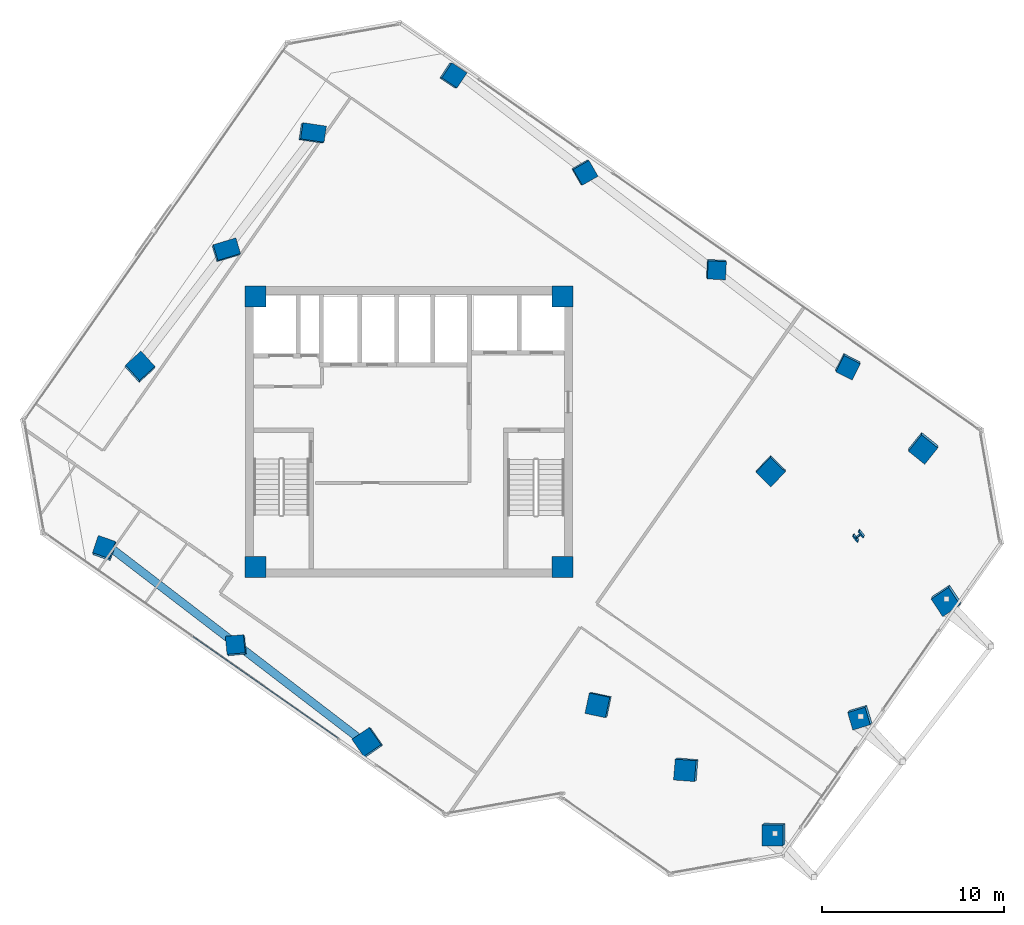
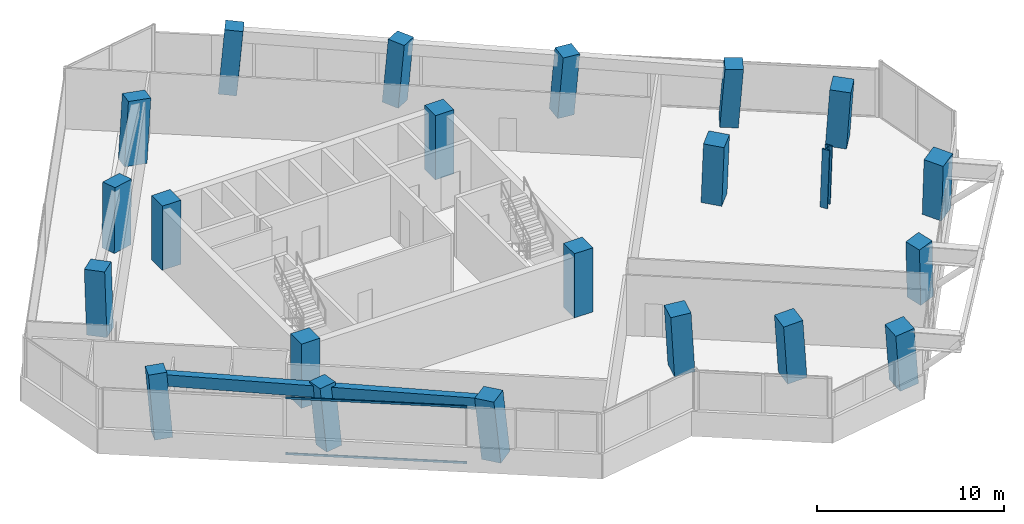
# One storey, part 1 of 21: 22 columns, 2 beams, 2 members, 1 element without a shape of its own.
"""IFC4 building model written with IfcOpenShell, lengths in metres."""

import ifcopenshell
import ifcopenshell.guid

model = None  # the IFC model being written
_history = None  # IfcOwnerHistory: only IFC2X3 demands one
_inside = {}  # id of a spatial element -> (the spatial element, [elements in it])
_under = {}  # id of a project, library or spatial element -> (it, [spatial elements below it])
_declared = {}  # id of a project -> (the project, [libraries it declares])
_typed = {}  # id of a type object -> (the type object, [elements of that type])
_made_of = {}  # id of a material, layer set ... -> (it, [elements and type objects made of it])


def new_model(schema):
    """Start an empty IFC model of exactly this schema.

    Asked for "IFC4X3", IfcOpenShell would pick the latest addendum, in which some entities
    have other attributes; the version numbers below select the first issue.
    IFC2X3 requires an IfcOwnerHistory on every rooted entity: one is made here for all.
    """
    global model, _history
    if schema == "IFC4X3":
        model = ifcopenshell.file(schema_version=(4, 3, 0, 0))
    else:
        model = ifcopenshell.file(schema=schema)
    _inside.clear()
    _under.clear()
    _declared.clear()
    _typed.clear()
    _made_of.clear()
    _history = None
    if model.schema == "IFC2X3":
        org = make("IfcOrganization", Name="unknown")
        user = make(
            "IfcPersonAndOrganization",
            ThePerson=make("IfcPerson", FamilyName="unknown"),
            TheOrganization=org,
        )
        app = make(
            "IfcApplication",
            ApplicationDeveloper=org,
            Version="unknown",
            ApplicationFullName="unknown",
            ApplicationIdentifier="unknown",
        )
        _history = make(
            "IfcOwnerHistory",
            OwningUser=user,
            OwningApplication=app,
            ChangeAction="ADDED",
            CreationDate=0,
        )
    return model


def make(cls, **values):
    """One entity of the class cls with the attributes given. An attribute that is None is left unset."""
    return model.create_entity(
        cls, **{name: value for name, value in values.items() if value is not None}
    )


def rooted(cls, **values):
    """An entity with a GlobalId (a new one), such as an element, a storey or a relation."""
    return make(cls, GlobalId=ifcopenshell.guid.new(), OwnerHistory=_history, **values)


def si_unit(unit_type, name, prefix=None):
    """IfcSIUnit, for example si_unit("LENGTHUNIT", "METRE", prefix="MILLI")."""
    return make("IfcSIUnit", UnitType=unit_type, Prefix=prefix, Name=name)


def assignment(units):
    """IfcUnitAssignment: the units of a project."""
    return None if units is None else make("IfcUnitAssignment", Units=units)


def point(xyz):
    """IfcCartesianPoint."""
    return None if xyz is None else make("IfcCartesianPoint", Coordinates=xyz)


def direction(xyz):
    """IfcDirection."""
    return None if xyz is None else make("IfcDirection", DirectionRatios=xyz)


def frame(location, z_axis=None, x_axis=None):
    """IfcAxis2Placement3D, a coordinate frame: its origin and axes. An axis left out is left unset."""
    return make(
        "IfcAxis2Placement3D",
        Location=point(location),
        Axis=direction(z_axis),
        RefDirection=direction(x_axis),
    )


def frame_2d(location, x_axis=None):
    """IfcAxis2Placement2D, a coordinate frame in the plane: its origin and x axis."""
    return make(
        "IfcAxis2Placement2D", Location=point(location), RefDirection=direction(x_axis)
    )


def origin():
    """The frame at (0, 0, 0) with its axes left unset."""
    return frame((0.0, 0.0, 0.0))


def origin_2d():
    """The frame at (0, 0) in the plane with its x axis left unset."""
    return frame_2d((0.0, 0.0))


def place(relative_to, where):
    """IfcLocalPlacement: puts the frame where relative to a parent placement (None: the world)."""
    return make(
        "IfcLocalPlacement", PlacementRelTo=relative_to, RelativePlacement=where
    )


def context(
    kind, dimensions, precision=None, world=None, true_north=None, identifier=None
):
    """IfcGeometricRepresentationContext, for example the 3D "Model" context."""
    return make(
        "IfcGeometricRepresentationContext",
        ContextIdentifier=identifier,
        ContextType=kind,
        CoordinateSpaceDimension=dimensions,
        Precision=precision,
        WorldCoordinateSystem=world,
        TrueNorth=true_north,
    )


def subcontext(parent, identifier, kind, view, scale=None):
    """IfcGeometricRepresentationSubContext, for example "Body" below "Model"."""
    return make(
        "IfcGeometricRepresentationSubContext",
        ContextIdentifier=identifier,
        ContextType=kind,
        ParentContext=parent,
        TargetScale=scale,
        TargetView=view,
    )


def project(units=None, contexts=None):
    """IfcProject with its units and contexts."""
    return rooted(
        "IfcProject",
        Name="project",
        RepresentationContexts=contexts,
        UnitsInContext=assignment(units),
    )


def spatial(cls, under=None, at=None, **own):
    """A site, building, storey or space (cls), placed at a placement, below another one or the project."""
    s = rooted(cls, ObjectPlacement=at, **own)
    if under is not None:
        _under.setdefault(under.id(), (under, []))[1].append(s)
    return s


def profile(cls, at=None, kind="AREA", **sizes):
    """A parametric profile (cls). Its sizes go by their IFC names, for example OverallWidth=200.0."""
    return make(cls, ProfileType=kind, Position=at, **sizes)


def rectangle(**sizes):
    """IfcRectangleProfileDef."""
    return profile("IfcRectangleProfileDef", **sizes)


def hollow_rectangle(**sizes):
    """IfcRectangleHollowProfileDef."""
    return profile("IfcRectangleHollowProfileDef", **sizes)


def i_section(**sizes):
    """IfcIShapeProfileDef."""
    return profile("IfcIShapeProfileDef", **sizes)


def extrude(swept, where, along, depth):
    """IfcExtrudedAreaSolid: the profile swept, set in the frame where, extruded along a direction by depth."""
    return make(
        "IfcExtrudedAreaSolid",
        SweptArea=swept,
        Position=where,
        ExtrudedDirection=direction(along),
        Depth=depth,
    )


def clip(a, b, op="DIFFERENCE"):
    """IfcBooleanClippingResult: the solid a cut by the half space b."""
    return make(
        "IfcBooleanClippingResult", Operator=op, FirstOperand=a, SecondOperand=b
    )


def halfspace(plane, agree):
    """IfcHalfSpaceSolid: all space on one side of the plane z = 0 of the frame plane."""
    return make(
        "IfcHalfSpaceSolid",
        BaseSurface=make("IfcPlane", Position=plane),
        AgreementFlag=agree,
    )


def shape(context_of_items, identifier, shape_type, items):
    """IfcShapeRepresentation: the items that make up one representation, for example the "Body"."""
    return make(
        "IfcShapeRepresentation",
        ContextOfItems=context_of_items,
        RepresentationIdentifier=identifier,
        RepresentationType=shape_type,
        Items=items,
    )


def source(mapping_origin, context_of_items, identifier, shape_type, items):
    """IfcRepresentationMap: a shape defined once, which mapped items show again and again."""
    return make(
        "IfcRepresentationMap",
        MappingOrigin=mapping_origin,
        MappedRepresentation=shape(context_of_items, identifier, shape_type, items),
    )


def transform(
    local_origin,
    x_axis=None,
    y_axis=None,
    z_axis=None,
    scale=None,
    scale2=None,
    scale3=None,
    uniform=True,
):
    """IfcCartesianTransformationOperator3D, or its non-uniform kind. x_axis, y_axis, z_axis: its Axis1, 2, 3."""
    if uniform:
        return make(
            "IfcCartesianTransformationOperator3D",
            Axis1=direction(x_axis),
            Axis2=direction(y_axis),
            LocalOrigin=point(local_origin),
            Scale=scale,
            Axis3=direction(z_axis),
        )
    return make(
        "IfcCartesianTransformationOperator3DnonUniform",
        Axis1=direction(x_axis),
        Axis2=direction(y_axis),
        LocalOrigin=point(local_origin),
        Scale=scale,
        Axis3=direction(z_axis),
        Scale2=scale2,
        Scale3=scale3,
    )


def mapped(mapping_source, mapping_target):
    """IfcMappedItem: shows the shape of a source again, moved by a transform."""
    return make(
        "IfcMappedItem", MappingSource=mapping_source, MappingTarget=mapping_target
    )


def material(Name=None, Category=None):
    """IfcMaterial."""
    return make("IfcMaterial", Name=Name, Category=Category)


def material_profile(
    of_material, cross_section, Name=None, Category=None, Priority=None
):
    """IfcMaterialProfile: a cross section and its material."""
    return make(
        "IfcMaterialProfile",
        Name=Name,
        Material=of_material,
        Profile=cross_section,
        Priority=Priority,
        Category=Category,
    )


def profile_set(profiles, Name=None, composite=None):
    """IfcMaterialProfileSet."""
    return make(
        "IfcMaterialProfileSet",
        Name=Name,
        MaterialProfiles=profiles,
        CompositeProfile=composite,
    )


def made_of(thing, what):
    """Note that an element or type object is made of a material, layer set ...; save() writes the relation."""
    if what is not None:
        _made_of.setdefault(what.id(), (what, []))[1].append(thing)
    return thing


def type_object(cls, material=None, **own):
    """A type object (cls), such as IfcWallType, which elements share."""
    return made_of(rooted(cls, **own), material)


def element(
    cls,
    number,
    at=None,
    inside=None,
    cuts=None,
    type_object=None,
    material=None,
    context=None,
    identifier="Body",
    shape_type=None,
    held_by="IfcProductDefinitionShape",
    body=None,
    shapes=None,
    **own,
):
    """One element of the class cls, such as IfcWall. Its Tag is "e" and its number.

    at: its placement. inside: the storey or other place that contains it. cuts: it is an
    opening in that element (IfcRelVoidsElement). A single representation is given by context,
    identifier, shape_type and body (its items); several are given by shapes. held_by: the class
    of the entity that holds the representations. save() writes the other relations.
    """
    e = rooted(cls, Tag="e%d" % number, ObjectPlacement=at, **own)
    if body is not None:
        shapes = [shape(context, identifier, shape_type, body)]
    if shapes is not None:
        e.Representation = make(held_by, Representations=shapes)
    if inside is not None:
        _inside.setdefault(inside.id(), (inside, []))[1].append(e)
    if cuts is not None:
        rooted(
            "IfcRelVoidsElement", RelatingBuildingElement=cuts, RelatedOpeningElement=e
        )
    if type_object is not None:
        _typed.setdefault(type_object.id(), (type_object, []))[1].append(e)
    return made_of(e, material)


def aggregate(whole, parts):
    """IfcRelAggregates: a whole, such as a stair, and the parts it consists of."""
    return rooted("IfcRelAggregates", RelatingObject=whole, RelatedObjects=parts)


def save(model, path):
    """Write the relations noted so far, then the file.

    IfcRelAggregates (storeys below a building ...), IfcRelContainedInSpatialStructure (elements
    in a storey), IfcRelDefinesByType, IfcRelAssociatesMaterial and IfcRelDeclares: one each for
    every whole, place, type object, material and project.
    """
    for whole, parts in _under.values():
        aggregate(whole, parts)
    for where, things in _inside.values():
        rooted(
            "IfcRelContainedInSpatialStructure",
            RelatedElements=things,
            RelatingStructure=where,
        )
    for kind, things in _typed.values():
        rooted("IfcRelDefinesByType", RelatedObjects=things, RelatingType=kind)
    for what, things in _made_of.values():
        rooted("IfcRelAssociatesMaterial", RelatedObjects=things, RelatingMaterial=what)
    for by, libraries in _declared.values():
        rooted("IfcRelDeclares", RelatingContext=by, RelatedDefinitions=libraries)
    model.write(path)


model = new_model("IFC4")

# Units and contexts
model_context = context("Model", 3, precision=1e-05, world=origin(), true_north=direction((0.0, 1.0)))
body_context = subcontext(model_context, "Body", "Model", "MODEL_VIEW")
ifc_project = project(units=[si_unit("LENGTHUNIT", "METRE"), si_unit("AREAUNIT", "SQUARE_METRE"), si_unit("VOLUMEUNIT", "CUBIC_METRE"), si_unit("PLANEANGLEUNIT", "RADIAN"), si_unit("MASSUNIT", "GRAM", prefix="KILO")], contexts=[model_context])

# Site, building, storey
site_placement = place(None, origin())
site = spatial("IfcSite", under=ifc_project, at=site_placement, CompositionType="ELEMENT")
building_placement = place(site_placement, origin())
building = spatial("IfcBuilding", under=site, at=building_placement, Name="Torre Montelarca", CompositionType="ELEMENT")
storey_placement = place(building_placement, frame((0.0, 0.0, 200.199951171875)))
storey = spatial("IfcBuildingStorey", under=building, at=storey_placement, Name="L45", CompositionType="ELEMENT", Elevation=200.199951171875)

# Columns
ifc_material_1 = material(Name="Concrete C55/67", Category="concrete")
ifc_material_profile_1 = material_profile(ifc_material_1, rectangle(XDim=0.89990234375, YDim=1.300048828125, at=origin_2d()), Name="RC1300X900", Category="concrete")
ifc_profile_set_1 = profile_set([ifc_material_profile_1], Name="Concrete C55/67")
column_type_1 = type_object("IfcColumnType", Name="COL-PIL1300-EXT", PredefinedType="PILASTER", material=ifc_profile_set_1)
column_1_placement = place(storey_placement, frame((7.911376953125, 41.963623046875, 0.0), z_axis=(0.052348868529, 0.069721280651, 0.996192019135), x_axis=(0.291213371779, -0.955267995537, 0.051554134659)))
element("IfcColumn", 1, at=column_1_placement, inside=storey, type_object=column_type_1, Name="L45 Column 1W/E", PredefinedType="PILASTER", context=body_context, shape_type="Clipping", body=[
    clip(clip(extrude(rectangle(XDim=0.89990234375, YDim=1.300048828125, at=origin_2d()), origin(), (0.0, 0.0, 1.0), 4.216064453125), halfspace(frame((0.0, 0.0, 0.06982421875), z_axis=(0.0, 0.0, -1.0), x_axis=(1.0, 0.0, 0.0)), False)), halfspace(frame((0.0, 0.0, 4.146240234375), z_axis=(0.0, 0.0, 1.0), x_axis=(1.0, 0.0, 0.0)), False)),
])
column_2_placement = place(storey_placement, frame((12.641845703125, 48.4150390625, 0.0), z_axis=(0.085398713421, 0.044897968574, 0.995334733727), x_axis=(-0.145662224799, -0.987688074539, 0.057050711483)))
element("IfcColumn", 2, at=column_2_placement, inside=storey, type_object=column_type_1, Name="L45 Column 1W/F", PredefinedType="PILASTER", context=body_context, shape_type="Clipping", body=[
    clip(clip(extrude(rectangle(XDim=0.89990234375, YDim=1.300048828125, at=origin_2d()), origin(), (0.0, 0.0, 1.0), 4.2197265625), halfspace(frame((0.0, 0.0, 0.077392578125), z_axis=(0.0, 0.0, -1.0), x_axis=(1.0, 0.0, 0.0)), False)), halfspace(frame((0.0, 0.0, 4.142333984375), z_axis=(0.0, 0.0, 1.0), x_axis=(1.0, 0.0, 0.0)), False)),
])
ifc_material_profile_2 = material_profile(ifc_material_1, rectangle(XDim=1.0, YDim=1.0, at=origin_2d()), Name="RC1000X1000", Category="concrete")
ifc_profile_set_2 = profile_set([ifc_material_profile_2], Name="Concrete C55/67")
column_type_2 = type_object("IfcColumnType", Name="COL-RC1000-EXT", PredefinedType="COLUMN", material=ifc_profile_set_2)
column_3_placement = place(storey_placement, frame((1.248779296875, 25.5205078125, 0.0), z_axis=(-0.032297921556, 0.104924911531, 0.993955535828), x_axis=(0.943665188787, -0.324471766537, 0.064915977944)))
element("IfcColumn", 3, at=column_3_placement, inside=storey, type_object=column_type_2, Name="L45 Column 2/CS", PredefinedType="COLUMN", context=body_context, shape_type="Clipping", body=[
    clip(clip(extrude(rectangle(XDim=1.0, YDim=1.0, at=origin_2d()), origin(), (0.0, 0.0, 1.0), 4.2255859375), halfspace(frame((0.0, 0.0, 0.077880859375), z_axis=(0.0, 0.0, -1.0), x_axis=(1.0, 0.0, 0.0)), False)), halfspace(frame((0.0, 0.0, 4.147705078125), z_axis=(0.0, 0.0, 1.0), x_axis=(1.0, 0.0, 0.0)), False)),
])
column_4_placement = place(storey_placement, frame((20.377685546875, 51.60888671875, 0.0), z_axis=(0.101431952922, 0.004741972714, 0.99483117795), x_axis=(-0.549951103312, -0.833035772405, 0.060043199939)))
element("IfcColumn", 4, at=column_4_placement, inside=storey, type_object=column_type_2, Name="L45 Column 2/GN", PredefinedType="COLUMN", context=body_context, shape_type="Clipping", body=[
    clip(clip(extrude(rectangle(XDim=1.0, YDim=1.0, at=origin_2d()), origin(), (0.0, 0.0, 1.0), 4.2216796875), halfspace(frame((0.0, 0.0, 0.072021484375), z_axis=(0.0, 0.0, -1.0), x_axis=(1.0, 0.0, 0.0)), False)), halfspace(frame((0.0, 0.0, 4.149658203125), z_axis=(0.0, 0.0, 1.0), x_axis=(1.0, 0.0, 0.0)), False)),
])
column_5_placement = place(storey_placement, frame((8.5068359375, 20.19873046875, 0.0), z_axis=(-0.060262794758, 0.0679041866, 0.995870180802), x_axis=(0.994042239794, 0.094857947817, 0.053684217801)))
element("IfcColumn", 5, at=column_5_placement, inside=storey, type_object=column_type_2, Name="L45 Column 3/CS", PredefinedType="COLUMN", context=body_context, shape_type="Clipping", body=[
    clip(clip(extrude(rectangle(XDim=1.0, YDim=1.0, at=origin_2d()), origin(), (0.0, 0.0, 1.0), 4.21728515625), halfspace(frame((0.0, 0.0, 0.064453125), z_axis=(0.0, 0.0, -1.0), x_axis=(1.0, 0.0, 0.0)), False)), halfspace(frame((0.0, 0.0, 4.15283203125), z_axis=(0.0, 0.0, 1.0), x_axis=(1.0, 0.0, 0.0)), False)),
])
column_6_placement = place(storey_placement, frame((27.6357421875, 46.287109375, 0.0), z_axis=(0.073642562456, -0.032562643667, 0.996752951956), x_axis=(-0.865172490896, -0.49920897986, 0.047612555325)))
element("IfcColumn", 6, at=column_6_placement, inside=storey, type_object=column_type_2, Name="L45 Column 3/GN", PredefinedType="COLUMN", context=body_context, shape_type="Clipping", body=[
    clip(clip(extrude(rectangle(XDim=1.0, YDim=1.0, at=origin_2d()), origin(), (0.0, 0.0, 1.0), 4.213623046875), halfspace(frame((0.0, 0.0, 0.05712890625), z_axis=(0.0, 0.0, -1.0), x_axis=(1.0, 0.0, 0.0)), False)), halfspace(frame((0.0, 0.0, 4.156494140625), z_axis=(0.0, 0.0, 1.0), x_axis=(1.0, 0.0, 0.0)), False)),
])
column_7_placement = place(storey_placement, frame((34.893798828125, 40.96533203125, 0.0), z_axis=(0.045646375352, -0.06980188109, 0.996515983722), x_axis=(-0.997439527464, 0.051790740691, 0.049316409357)))
element("IfcColumn", 7, at=column_7_placement, inside=storey, type_object=column_type_2, Name="L45 Column 4/GN", PredefinedType="COLUMN", context=body_context, shape_type="Clipping", body=[
    clip(clip(extrude(rectangle(XDim=1.0, YDim=1.0, at=origin_2d()), origin(), (0.0, 0.0, 1.0), 4.214599609375), halfspace(frame((0.0, 0.0, 0.059326171875), z_axis=(0.0, 0.0, -1.0), x_axis=(1.0, 0.0, 0.0)), False)), halfspace(frame((0.0, 0.0, 4.1552734375), z_axis=(0.0, 0.0, 1.0), x_axis=(1.0, 0.0, 0.0)), False)),
])
column_8_placement = place(storey_placement, frame((42.15185546875, 35.6435546875, 0.0), z_axis=(0.017625307814, -0.106792028984, 0.994125148596), x_axis=(-0.891403921655, 0.448667880085, 0.064001420595)))
element("IfcColumn", 8, at=column_8_placement, inside=storey, type_object=column_type_2, Name="L45 Column 5/GN", PredefinedType="COLUMN", context=body_context, shape_type="Clipping", body=[
    clip(clip(extrude(rectangle(XDim=1.0, YDim=1.0, at=origin_2d()), origin(), (0.0, 0.0, 1.0), 4.224853515625), halfspace(frame((0.0, 0.0, 0.076904296875), z_axis=(0.0, 0.0, -1.0), x_axis=(1.0, 0.0, 0.0)), False)), halfspace(frame((0.0, 0.0, 4.14794921875), z_axis=(0.0, 0.0, 1.0), x_axis=(1.0, 0.0, 0.0)), False)),
])
column_9_placement = place(storey_placement, frame((42.870849609375, 16.330322265625, 0.0), z_axis=(-0.081830393133, -0.109068799855, 0.990660276612), x_axis=(-0.293522583095, 0.952545945706, 0.080627008696)))
element("IfcColumn", 9, at=column_9_placement, inside=storey, type_object=column_type_2, Name="L45 Column 7/E", PredefinedType="COLUMN", context=body_context, shape_type="Clipping", body=[
    clip(clip(extrude(rectangle(XDim=1.0, YDim=1.0, at=origin_2d()), origin(), (0.0, 0.0, 1.0), 4.239501953125), halfspace(frame((0.0, 0.0, 0.096923828125), z_axis=(0.0, 0.0, -1.0), x_axis=(1.0, 0.0, 0.0)), False)), halfspace(frame((0.0, 0.0, 4.142578125), z_axis=(0.0, 0.0, 1.0), x_axis=(1.0, 0.0, 0.0)), False)),
])
ifc_material_profile_3 = material_profile(ifc_material_1, rectangle(XDim=1.14990234375, YDim=1.14990234375, at=origin_2d()), Name="RC1150X1150", Category="concrete")
ifc_profile_set_3 = profile_set([ifc_material_profile_3], Name="Concrete C55/67")
column_type_3 = type_object("IfcColumnType", Name="COL-RC1150", PredefinedType="COLUMN", material=ifc_profile_set_3)
for number, where, z_axis, x_axis, name in (
    (10, (28.462890625, 16.974609375, 0.0), (-0.078128081862, -0.035212656614, 0.99632126929), (0.205735778945, 0.977294738554, 0.050673299241), "L45 Column 5/D"),
    (11, (37.923828125, 29.877685546875, 0.0), (-0.011872654328, -0.084903957292, 0.996318401976), (-0.717085407135, 0.695139365812, 0.050693007139), "L45 Column 5/F"),
):
    element("IfcColumn", number, at=place(storey_placement, frame(where, z_axis=z_axis, x_axis=x_axis)), inside=storey, type_object=column_type_3, Name=name, PredefinedType="COLUMN", context=body_context, shape_type="Clipping", body=[
        clip(clip(extrude(rectangle(XDim=1.14990234375, YDim=1.14990234375, at=origin_2d()), origin(), (0.0, 0.0, 1.0), 4.215576171875), halfspace(frame((0.0, 0.0, 0.06982421875), z_axis=(0.0, 0.0, -1.0), x_axis=(1.0, 0.0, 0.0)), False)), halfspace(frame((0.0, 0.0, 4.145751953125), z_axis=(0.0, 0.0, 1.0), x_axis=(1.0, 0.0, 0.0)), False)),
    ])
column_10_placement = place(storey_placement, frame((33.301513671875, 13.426513671875, 0.0), z_axis=(-0.09644878078, -0.05983289634, 0.993537949553), x_axis=(0.074102291921, 0.994989736896, 0.067113886818)))
element("IfcColumn", 12, at=column_10_placement, inside=storey, type_object=column_type_3, Name="L45 Column 6/D", PredefinedType="COLUMN", context=body_context, shape_type="Clipping", body=[
    clip(clip(extrude(rectangle(XDim=1.14990234375, YDim=1.14990234375, at=origin_2d()), origin(), (0.0, 0.0, 1.0), 4.227294921875), halfspace(frame((0.0, 0.0, 0.092529296875), z_axis=(0.0, 0.0, -1.0), x_axis=(1.0, 0.0, 0.0)), False)), halfspace(frame((0.0, 0.0, 4.134765625), z_axis=(0.0, 0.0, 1.0), x_axis=(1.0, 0.0, 0.0)), False)),
])
column_11_placement = place(storey_placement, frame((46.310302734375, 31.16845703125, 0.0), z_axis=(-0.00564986599, -0.127813805108, 0.991782088081), x_axis=(-0.779759778448, 0.621491402083, 0.075651338728)))
element("IfcColumn", 13, at=column_11_placement, inside=storey, type_object=column_type_3, Name="L45 Column 6/G", PredefinedType="COLUMN", context=body_context, shape_type="Clipping", body=[
    clip(clip(extrude(rectangle(XDim=1.14990234375, YDim=1.14990234375, at=origin_2d()), origin(), (0.0, 0.0, 1.0), 4.23486328125), halfspace(frame((0.0, 0.0, 0.1044921875), z_axis=(0.0, 0.0, -1.0), x_axis=(1.0, 0.0, 0.0)), False)), halfspace(frame((0.0, 0.0, 4.13037109375), z_axis=(0.0, 0.0, 1.0), x_axis=(1.0, 0.0, 0.0)), False)),
])
ifc_material_profile_4 = material_profile(ifc_material_1, rectangle(XDim=1.14990234375, YDim=1.14990234375, at=origin_2d()), Name="RC1150X1150", Category="concrete")
ifc_profile_set_4 = profile_set([ifc_material_profile_4], Name="Concrete C55/67")
column_type_4 = type_object("IfcColumnType", Name="COL-RC1150-EXT", PredefinedType="COLUMN", material=ifc_profile_set_4)
column_12_placement = place(storey_placement, frame((15.764892578125, 14.876953125, 0.0), z_axis=(-0.088259663974, 0.030615975241, 0.995626884819), x_axis=(0.820504029845, 0.568965490713, 0.055239545482)))
element("IfcColumn", 14, at=column_12_placement, inside=storey, type_object=column_type_4, Name="L45 Column 4/CS", PredefinedType="COLUMN", context=body_context, shape_type="Clipping", body=[
    clip(clip(extrude(rectangle(XDim=1.14990234375, YDim=1.14990234375, at=origin_2d()), origin(), (0.0, 0.0, 1.0), 4.218505859375), halfspace(frame((0.0, 0.0, 0.076171875), z_axis=(0.0, 0.0, -1.0), x_axis=(1.0, 0.0, 0.0)), False)), halfspace(frame((0.0, 0.0, 4.142333984375), z_axis=(0.0, 0.0, 1.0), x_axis=(1.0, 0.0, 0.0)), False)),
])
for number, where, z_axis, x_axis, name in (
    (15, (38.140380859375, 9.878662109375, 0.0), (-0.114672590515, -0.084292696992, 0.989820659624), (-0.006047009792, 0.996434297912, 0.084155354062), "L45 Column 7/D"),
    (16, (47.601318359375, 22.781982421875, 0.0), (-0.048849204631, -0.133716786291, 0.98981492021), (-0.556646986911, 0.826473251638, 0.084178953957), "L45 Column 7/F"),
):
    element("IfcColumn", number, at=place(storey_placement, frame(where, z_axis=z_axis, x_axis=x_axis)), inside=storey, type_object=column_type_4, Name=name, PredefinedType="COLUMN", context=body_context, shape_type="Clipping", body=[
        clip(clip(extrude(rectangle(XDim=1.14990234375, YDim=1.14990234375, at=origin_2d()), origin(), (0.0, 0.0, 1.0), 4.2431640625), halfspace(frame((0.0, 0.0, 0.1162109375), z_axis=(0.0, 0.0, -1.0), x_axis=(1.0, 0.0, 0.0)), False)), halfspace(frame((0.0, 0.0, 4.126953125), z_axis=(0.0, 0.0, 1.0), x_axis=(1.0, 0.0, 0.0)), False)),
    ])
column_13_placement = place(storey_placement, frame((3.180908203125, 35.511962890625, 0.0), z_axis=(0.01920894309, 0.094540400629, 0.995335686668), x_axis=(0.673107823398, -0.737340991453, 0.057044898138)))
element("IfcColumn", 17, at=column_13_placement, inside=storey, type_object=column_type_4, Name="L45 Column 1W/D", PredefinedType="COLUMN", context=body_context, shape_type="Clipping", body=[
    clip(clip(extrude(rectangle(XDim=1.14990234375, YDim=1.14990234375, at=origin_2d()), origin(), (0.0, 0.0, 1.0), 4.2197265625), halfspace(frame((0.0, 0.0, 0.07861328125), z_axis=(0.0, 0.0, -1.0), x_axis=(1.0, 0.0, 0.0)), False)), halfspace(frame((0.0, 0.0, 4.14111328125), z_axis=(0.0, 0.0, 1.0), x_axis=(1.0, 0.0, 0.0)), False)),
])
ifc_material_2 = material(Name="Steel ASTM A992 Grade 50", Category="steel")
ifc_material_profile_5 = material_profile(ifc_material_2, i_section(OverallWidth=0.4208984375, OverallDepth=0.465087890625, WebThickness=0.044921875, FlangeThickness=0.072265625, FilletRadius=0.014892578125, at=origin_2d()), Name="W360X592", Category="steel")
ifc_profile_set_5 = profile_set([ifc_material_profile_5], Name="Steel ASTM A992 Grade 50")
column_type_5 = type_object("IfcColumnType", Name="COL-W360X592", PredefinedType="COLUMN", material=ifc_profile_set_5)
column_14_placement = place(storey_placement, frame((42.7626953125, 26.32958984375, 0.0), z_axis=(-0.030493791307, -0.109384925635, 0.993531613355), x_axis=(-0.61906310695, 0.7824654584, 0.067146675448)))
element("IfcColumn", 18, at=column_14_placement, inside=storey, type_object=column_type_5, Name="L45 Column 6/F", PredefinedType="COLUMN", context=body_context, shape_type="Clipping", body=[
    clip(clip(extrude(i_section(OverallWidth=0.4208984375, OverallDepth=0.465087890625, WebThickness=0.044921875, FlangeThickness=0.072265625, FilletRadius=0.014892578125, at=origin_2d()), origin(), (0.0, 0.0, 1.0), 4.227294921875), halfspace(frame((0.0, 0.0, 0.036376953125), z_axis=(0.0, 0.0, -1.0), x_axis=(1.0, 0.0, 0.0)), False)), halfspace(frame((0.0, 0.0, 4.19091796875), z_axis=(0.0, 0.0, 1.0), x_axis=(1.0, 0.0, 0.0)), False)),
])
shared_shape_1 = source(origin(), body_context, "Body", "SweptSolid", [
    extrude(rectangle(XDim=1.14990234375, YDim=1.14990234375, at=origin_2d()), origin(), (0.0, 0.0, 1.0), 4.198486328125),
])
for number, where, z_axis, x_axis, name in (
    (19, (9.550048828125, 24.550048828125, 0.000732421875), (0.0, 0.0, 1.0), (1.0, 0.0, 0.0), "L45 Plumb Core Corner Column 2D"),
    (20, (26.449951171875, 24.550048828125, 0.000732421875), (0.0, 0.0, 1.0), (1.0, 0.0, 0.0), "L45 Plumb Core Corner Column 4D"),
    (21, (9.550048828125, 39.449951171875, 0.000732421875), (0.0, 0.0, 1.0), (1.0, 0.0, 0.0), "L45 Plumb Core Corner Column 2F"),
    (22, (26.449951171875, 39.449951171875, 0.000732421875), (0.0, 0.0, 1.0), (1.0, 0.0, 0.0), "L45 Plumb Core Corner Column 4F"),
):
    element("IfcColumn", number, at=place(storey_placement, frame(where, z_axis=z_axis, x_axis=x_axis)), inside=storey, type_object=column_type_3, Name=name, PredefinedType="COLUMN", context=body_context, shape_type="MappedRepresentation", body=[
        mapped(shared_shape_1, transform((0.0, 0.0, 0.0), scale=1.0)),
    ])

# Beams
ifc_material_profile_6 = material_profile(ifc_material_1, rectangle(XDim=0.449951171875, YDim=0.75, at=origin_2d()), Name="RCB450X750", Category="concrete")
ifc_profile_set_6 = profile_set([ifc_material_profile_6], Name="Concrete C55/67")
beam_type = type_object("IfcBeamType", Name="BM-SP-RC750-EXT", PredefinedType="SPANDREL", material=ifc_profile_set_6)
shared_shape_2 = source(origin(), body_context, "Body", "SweptSolid", [
    extrude(rectangle(XDim=0.449951171875, YDim=0.75, at=origin_2d()), origin(), (0.0, 0.0, 1.0), 9.0),
])
beam_1_placement = place(storey_placement, frame((1.1123046875, 25.9638671875, 3.5849609375), z_axis=(0.793366603842, -0.608744143222, 0.0), x_axis=(0.608744143222, 0.793366603842, 0.0)))
element("IfcBeam", 23, at=beam_1_placement, inside=storey, type_object=beam_type, Name="L45 Grid Girder X 9.0-18.0 at Y=14.8", PredefinedType="SPANDREL", context=body_context, shape_type="MappedRepresentation", body=[
    mapped(shared_shape_2, transform((0.0, 0.0, 0.0), scale=1.0)),
])
shared_shape_3 = source(origin(), body_context, "Body", "SweptSolid", [
    extrude(rectangle(XDim=0.449951171875, YDim=0.75, at=origin_2d()), origin(), (0.0, 0.0, 1.0), 8.999755859375),
])
beam_2_placement = place(storey_placement, frame((8.252685546875, 20.485107421875, 3.5849609375), z_axis=(0.793333396427, -0.608787419477, 0.0), x_axis=(0.608787419477, 0.793333396427, 0.0)))
element("IfcBeam", 24, at=beam_2_placement, inside=storey, type_object=beam_type, Name="L45 Grid Girder X 18.0-27.0 at Y=14.8", PredefinedType="SPANDREL", context=body_context, shape_type="MappedRepresentation", body=[
    mapped(shared_shape_3, transform((0.0, 0.0, 0.0), scale=1.0)),
])

# Curtain wall, members
ifc_material_3 = material(Name="Insulated low-E laminated glass", Category="glass")
curtain_wall_type = type_object("IfcCurtainWallType", Name="CW-SYS-Z2", PredefinedType="USERDEFINED", material=ifc_material_3)
curtain_wall_placement = place(storey_placement, origin())
curtain_wall = element("IfcCurtainWall", 25, at=curtain_wall_placement, inside=storey, type_object=curtain_wall_type, Name="L45 Curtain Wall Run CW-T3-L45-E01-B1", ObjectType="UNITISED GLAZING", PredefinedType="USERDEFINED")
ifc_material_4 = material(Name="Anodised aluminium AA 6063-T6", Category="aluminium")
ifc_material_profile_7 = material_profile(ifc_material_4, hollow_rectangle(XDim=0.06494140625, YDim=0.139892578125, WallThickness=0.00390625, InnerFilletRadius=0.00390625, OuterFilletRadius=0.008056640625, at=origin_2d()), Name="ALU65X140X4", Category="aluminium")
ifc_profile_set_7 = profile_set([ifc_material_profile_7], Name="Anodised aluminium AA 6063-T6")
member_type = type_object("IfcMemberType", Name="CWT-ALU140", PredefinedType="USERDEFINED", material=ifc_profile_set_7)
shared_shape_4 = source(origin(), body_context, "Body", "SweptSolid", [
    extrude(hollow_rectangle(XDim=0.06494140625, YDim=0.139892578125, WallThickness=0.00390625, InnerFilletRadius=0.00390625, OuterFilletRadius=0.008056640625, at=origin_2d()), origin(), (0.0, 0.0, 1.0), 9.764404296875),
])
member_1_placement = place(storey_placement, frame((6.10595703125, 20.719482421875, 0.032470703125), z_axis=(0.819154386375, -0.573573091491, 0.0), x_axis=(0.573573091491, 0.819154386375, 0.0)))
member_1 = element("IfcMember", 26, at=member_1_placement, type_object=member_type, Name="CW transom 2.1", ObjectType="TRANSOM", PredefinedType="USERDEFINED", context=body_context, shape_type="MappedRepresentation", body=[
    mapped(shared_shape_4, transform((0.0, 0.0, 0.0), scale=1.0)),
])
member_2_placement = place(storey_placement, frame((6.10595703125, 20.719482421875, 3.6875), z_axis=(0.819154386375, -0.573573091491, 0.0), x_axis=(0.573573091491, 0.819154386375, 0.0)))
member_2 = element("IfcMember", 27, at=member_2_placement, type_object=member_type, Name="CW transom 2.2", ObjectType="TRANSOM", PredefinedType="USERDEFINED", context=body_context, shape_type="MappedRepresentation", body=[
    mapped(shared_shape_4, transform((0.0, 0.0, 0.0), scale=1.0)),
])
aggregate(curtain_wall, [member_1, member_2])

save(model, "model.ifc")
